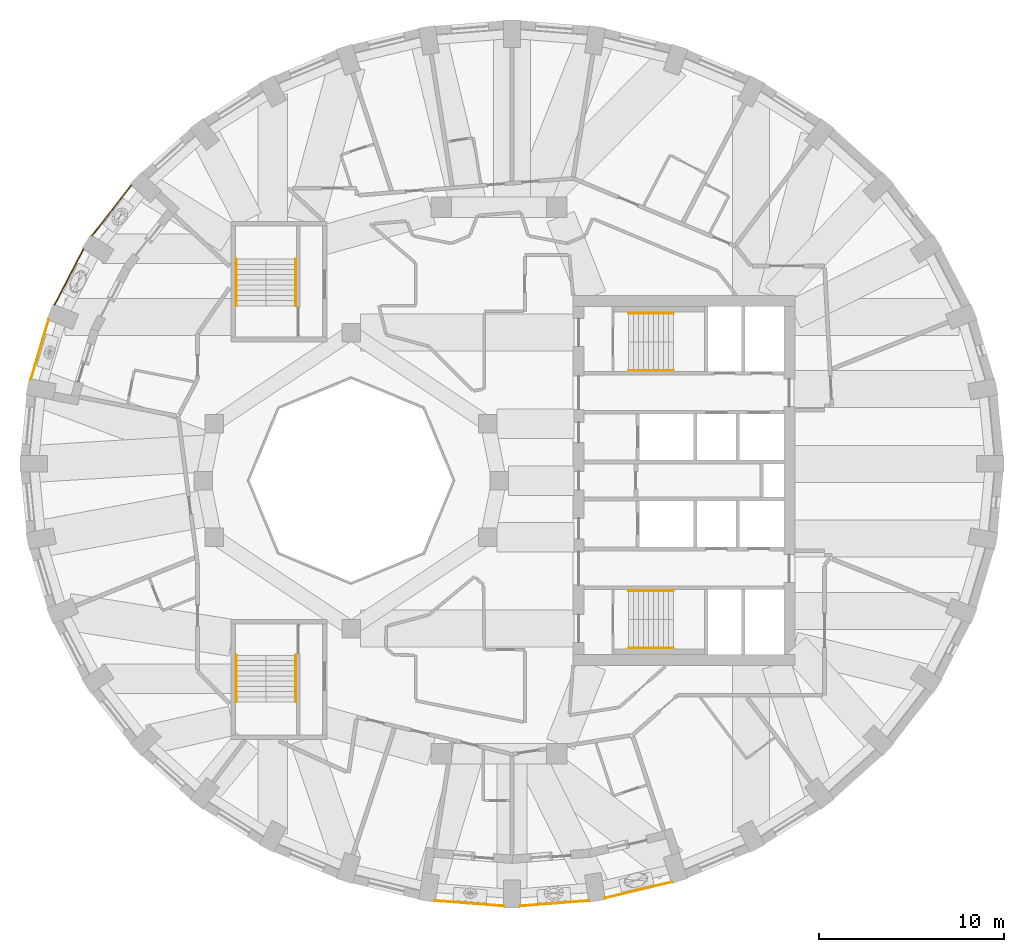
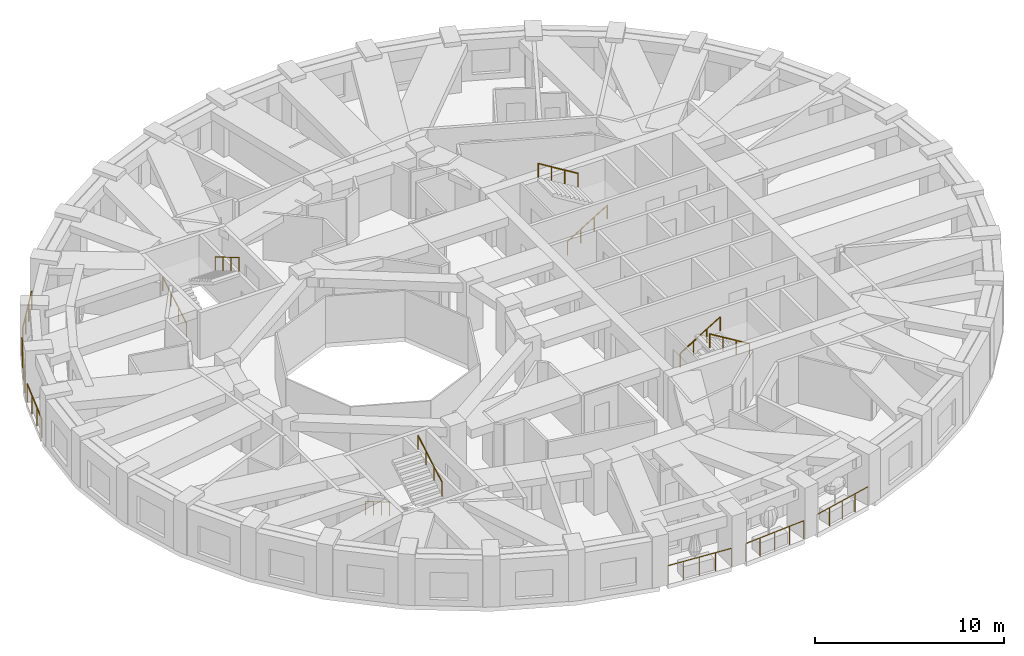
# One storey, part 10 of 12: 14 railings.
"""IFC4 building model written with IfcOpenShell, lengths in metres."""

from ifc_helpers import new_model, si_unit, direction, frame, origin, origin_2d, place, context, subcontext, project, spatial, circle, extrude, material, type_object, element, save


model = new_model("IFC4")

# Units and contexts
model_context = context("Model", 3, precision=1e-05, world=origin(), true_north=direction((0.0, 1.0)))
body_context = subcontext(model_context, "Body", "Model", "MODEL_VIEW")
ifc_project = project(units=[si_unit("LENGTHUNIT", "METRE"), si_unit("AREAUNIT", "SQUARE_METRE"), si_unit("VOLUMEUNIT", "CUBIC_METRE"), si_unit("PLANEANGLEUNIT", "RADIAN"), si_unit("MASSUNIT", "GRAM", prefix="KILO")], contexts=[model_context])

# Site, building, storey
site_placement = place(None, origin())
site = spatial("IfcSite", under=ifc_project, at=site_placement, CompositionType="ELEMENT")
building_placement = place(site_placement, origin())
building = spatial("IfcBuilding", under=site, at=building_placement, Name="Taillehof Tower", CompositionType="ELEMENT")
storey_placement = place(building_placement, frame((0.0, 0.0, 199.10009765625)))
storey = spatial("IfcBuildingStorey", under=building, at=storey_placement, Name="L56", CompositionType="ELEMENT", Elevation=199.10009765625)

# Railings
ifc_material_1 = material(Name="Stainless steel balustrade", Category="steel")
railing_type_1 = type_object("IfcRailingType", Name="Balcony guard 1200", PredefinedType="GUARDRAIL", material=ifc_material_1)
railing_1_placement = place(storey_placement, frame((-19.87255859375, 15.973876953125, 0.0)))
element("IfcRailing", 1, at=railing_1_placement, inside=storey, type_object=railing_type_1, Name="Balcony guard L56 bay 15", PredefinedType="GUARDRAIL", context=body_context, shape_type="SweptSolid", body=[
    extrude(circle(Radius=0.02392578125, at=origin_2d()), frame((0.0, 0.0, 1.17578125), z_axis=(-0.614233032347, -0.789124693552, 0.0), x_axis=(0.789124693552, -0.614233032347, 0.0)), (0.0, 0.0, 1.0), 3.467529296875),
    extrude(circle(Radius=0.02099609375, at=origin_2d()), origin(), (0.0, 0.0, 1.0), 1.15185546875),
    extrude(circle(Radius=0.02099609375, at=origin_2d()), frame((-0.7099609375, -0.912109375, 0.0)), (0.0, 0.0, 1.0), 1.15185546875),
    extrude(circle(Radius=0.02099609375, at=origin_2d()), frame((-1.419921875, -1.82421875, 0.0)), (0.0, 0.0, 1.0), 1.15185546875),
    extrude(circle(Radius=0.02099609375, at=origin_2d()), frame((-2.1298828125, -2.736328125, 0.0)), (0.0, 0.0, 1.0), 1.15185546875),
])
railing_2_placement = place(storey_placement, frame((-22.466552734375, 12.513427734375, 0.0)))
element("IfcRailing", 2, at=railing_2_placement, inside=storey, type_object=railing_type_1, Name="Balcony guard L56 bay 16", PredefinedType="GUARDRAIL", context=body_context, shape_type="SweptSolid", body=[
    extrude(circle(Radius=0.02392578125, at=origin_2d()), frame((0.0, 0.0, 1.17578125), z_axis=(-0.460229168419, -0.88780015349, 0.0), x_axis=(0.88780015349, -0.460229168419, 0.0)), (0.0, 0.0, 1.0), 3.4013671875),
    extrude(circle(Radius=0.02099609375, at=origin_2d()), origin(), (0.0, 0.0, 1.0), 1.15185546875),
    extrude(circle(Radius=0.02099609375, at=origin_2d()), frame((-0.521728515625, -1.006591796875, 0.0)), (0.0, 0.0, 1.0), 1.15185546875),
    extrude(circle(Radius=0.02099609375, at=origin_2d()), frame((-1.043701171875, -2.01318359375, 0.0)), (0.0, 0.0, 1.0), 1.15185546875),
    extrude(circle(Radius=0.02099609375, at=origin_2d()), frame((-1.5654296875, -3.019775390625, 0.0)), (0.0, 0.0, 1.0), 1.15185546875),
])
railing_3_placement = place(storey_placement, frame((-24.35400390625, 8.696044921875, 0.0)))
element("IfcRailing", 3, at=railing_3_placement, inside=storey, type_object=railing_type_1, Name="Balcony guard L56 bay 17", PredefinedType="GUARDRAIL", context=body_context, shape_type="SweptSolid", body=[
    extrude(circle(Radius=0.02392578125, at=origin_2d()), frame((0.0, 0.0, 1.17578125), z_axis=(-0.28544954127, -0.958393739227, 0.0), x_axis=(0.958393739227, -0.28544954127, 0.0)), (0.0, 0.0, 1.0), 3.351806640625),
    extrude(circle(Radius=0.02099609375, at=origin_2d()), origin(), (0.0, 0.0, 1.0), 1.15185546875),
    extrude(circle(Radius=0.02099609375, at=origin_2d()), frame((-0.31884765625, -1.07080078125, 0.0)), (0.0, 0.0, 1.0), 1.15185546875),
    extrude(circle(Radius=0.02099609375, at=origin_2d()), frame((-0.637939453125, -2.1416015625, 0.0)), (0.0, 0.0, 1.0), 1.15185546875),
    extrude(circle(Radius=0.02099609375, at=origin_2d()), frame((-0.956787109375, -3.21240234375, 0.0)), (0.0, 0.0, 1.0), 1.15185546875),
])
railing_4_placement = place(storey_placement, frame((-3.467041015625, -22.7119140625, 0.0)))
element("IfcRailing", 4, at=railing_4_placement, inside=storey, type_object=railing_type_1, Name="Balcony guard L56 bay 27", PredefinedType="GUARDRAIL", context=body_context, shape_type="SweptSolid", body=[
    extrude(circle(Radius=0.02392578125, at=origin_2d()), frame((0.0, 0.0, 1.17578125), z_axis=(0.996920832567, -0.078414626146, 0.0), x_axis=(0.078414626146, 0.996920832567, 0.0)), (0.0, 0.0, 1.0), 3.74853515625),
    extrude(circle(Radius=0.02099609375, at=origin_2d()), origin(), (0.0, 0.0, 1.0), 1.15185546875),
    extrude(circle(Radius=0.02099609375, at=origin_2d()), frame((0.934326171875, -0.073486328125, 0.0)), (0.0, 0.0, 1.0), 1.15185546875),
    extrude(circle(Radius=0.02099609375, at=origin_2d()), frame((1.86865234375, -0.14697265625, 0.0)), (0.0, 0.0, 1.0), 1.15185546875),
    extrude(circle(Radius=0.02099609375, at=origin_2d()), frame((2.802734375, -0.220458984375, 0.0)), (0.0, 0.0, 1.0), 1.15185546875),
    extrude(circle(Radius=0.02099609375, at=origin_2d()), frame((3.737060546875, -0.2939453125, 0.0)), (0.0, 0.0, 1.0), 1.15185546875),
])
railing_5_placement = place(storey_placement, frame((1.130126953125, -23.005859375, 0.0)))
element("IfcRailing", 5, at=railing_5_placement, inside=storey, type_object=railing_type_1, Name="Balcony guard L56 bay 28", PredefinedType="GUARDRAIL", context=body_context, shape_type="SweptSolid", body=[
    extrude(circle(Radius=0.02392578125, at=origin_2d()), frame((0.0, 0.0, 1.17578125), z_axis=(0.996920832567, 0.078414626146, 0.0), x_axis=(-0.078414626146, 0.996920832567, 0.0)), (0.0, 0.0, 1.0), 3.74853515625),
    extrude(circle(Radius=0.02099609375, at=origin_2d()), origin(), (0.0, 0.0, 1.0), 1.15185546875),
    extrude(circle(Radius=0.02099609375, at=origin_2d()), frame((0.934326171875, 0.073486328125, 0.0)), (0.0, 0.0, 1.0), 1.15185546875),
    extrude(circle(Radius=0.02099609375, at=origin_2d()), frame((1.86865234375, 0.14697265625, 0.0)), (0.0, 0.0, 1.0), 1.15185546875),
    extrude(circle(Radius=0.02099609375, at=origin_2d()), frame((2.802734375, 0.220458984375, 0.0)), (0.0, 0.0, 1.0), 1.15185546875),
    extrude(circle(Radius=0.02099609375, at=origin_2d()), frame((3.737060546875, 0.2939453125, 0.0)), (0.0, 0.0, 1.0), 1.15185546875),
])
railing_6_placement = place(storey_placement, frame((5.716552734375, -22.576904296875, 0.0)))
element("IfcRailing", 6, at=railing_6_placement, inside=storey, type_object=railing_type_1, Name="Balcony guard L56 bay 29", PredefinedType="GUARDRAIL", context=body_context, shape_type="SweptSolid", body=[
    extrude(circle(Radius=0.02392578125, at=origin_2d()), frame((0.0, 0.0, 1.17578125), z_axis=(0.972163104093, 0.234305140875, 0.0), x_axis=(-0.234305140875, 0.972163104093, 0.0)), (0.0, 0.0, 1.0), 3.72412109375),
    extrude(circle(Radius=0.02099609375, at=origin_2d()), origin(), (0.0, 0.0, 1.0), 1.15185546875),
    extrude(circle(Radius=0.02099609375, at=origin_2d()), frame((0.905029296875, 0.21826171875, 0.0)), (0.0, 0.0, 1.0), 1.15185546875),
    extrude(circle(Radius=0.02099609375, at=origin_2d()), frame((1.81005859375, 0.436279296875, 0.0)), (0.0, 0.0, 1.0), 1.15185546875),
    extrude(circle(Radius=0.02099609375, at=origin_2d()), frame((2.71533203125, 0.654296875, 0.0)), (0.0, 0.0, 1.0), 1.15185546875),
    extrude(circle(Radius=0.02099609375, at=origin_2d()), frame((3.620361328125, 0.87255859375, 0.0)), (0.0, 0.0, 1.0), 1.15185546875),
])
ifc_material_2 = material(Name="Stainless steel", Category="steel")
railing_type_2 = type_object("IfcRailingType", Name="Stair handrail 900", PredefinedType="HANDRAIL", material=ifc_material_2)
railing_7_placement = place(storey_placement, frame((7.0, 5.949951171875, 0.164794921875)))
element("IfcRailing", 7, at=railing_7_placement, inside=storey, type_object=railing_type_2, Name="Stair S1 handrail", PredefinedType="HANDRAIL", context=body_context, shape_type="SweptSolid", body=[
    extrude(circle(Radius=0.02392578125, at=origin_2d()), frame((0.0, 0.0, 0.8759765625), z_axis=(0.853258522278, 0.0, 0.521488153423), x_axis=(0.0, 1.0, 0.0)), (0.0, 0.0, 1.0), 2.847900390625),
    extrude(circle(Radius=0.02099609375, at=origin_2d()), origin(), (0.0, 0.0, 1.0), 0.851806640625),
    extrude(circle(Radius=0.02099609375, at=origin_2d()), frame((0.81005859375, 0.0, 0.4951171875)), (0.0, 0.0, 1.0), 0.851806640625),
    extrude(circle(Radius=0.02099609375, at=origin_2d()), frame((1.619873046875, 0.0, 0.989990234375)), (0.0, 0.0, 1.0), 0.851806640625),
    extrude(circle(Radius=0.02099609375, at=origin_2d()), frame((2.429931640625, 0.0, 1.485107421875)), (0.0, 0.0, 1.0), 0.851806640625),
])
railing_8_placement = place(storey_placement, frame((9.429931640625, 9.050048828125, 1.81494140625)))
element("IfcRailing", 8, at=railing_8_placement, inside=storey, type_object=railing_type_2, Name="Stair S1 handrail", PredefinedType="HANDRAIL", context=body_context, shape_type="SweptSolid", body=[
    extrude(circle(Radius=0.02392578125, at=origin_2d()), frame((0.0, 0.0, 0.8759765625), z_axis=(-0.853296667938, 0.0, 0.521425734392), x_axis=(0.0, -1.0, 0.0)), (0.0, 0.0, 1.0), 2.84765625),
    extrude(circle(Radius=0.02099609375, at=origin_2d()), origin(), (0.0, 0.0, 1.0), 0.851806640625),
    extrude(circle(Radius=0.02099609375, at=origin_2d()), frame((-0.81005859375, 0.0, 0.494873046875)), (0.0, 0.0, 1.0), 0.851806640625),
    extrude(circle(Radius=0.02099609375, at=origin_2d()), frame((-1.619873046875, 0.0, 0.989990234375)), (0.0, 0.0, 1.0), 0.851806640625),
    extrude(circle(Radius=0.02099609375, at=origin_2d()), frame((-2.429931640625, 0.0, 1.48486328125)), (0.0, 0.0, 1.0), 0.851806640625),
])
railing_9_placement = place(storey_placement, frame((7.0, -5.949951171875, 0.164794921875)))
element("IfcRailing", 9, at=railing_9_placement, inside=storey, type_object=railing_type_2, Name="Stair S2 handrail", PredefinedType="HANDRAIL", context=body_context, shape_type="SweptSolid", body=[
    extrude(circle(Radius=0.02392578125, at=origin_2d()), frame((0.0, 0.0, 0.8759765625), z_axis=(0.853258522278, 0.0, 0.521488153423), x_axis=(0.0, 1.0, 0.0)), (0.0, 0.0, 1.0), 2.847900390625),
    extrude(circle(Radius=0.02099609375, at=origin_2d()), origin(), (0.0, 0.0, 1.0), 0.851806640625),
    extrude(circle(Radius=0.02099609375, at=origin_2d()), frame((0.81005859375, 0.0, 0.4951171875)), (0.0, 0.0, 1.0), 0.851806640625),
    extrude(circle(Radius=0.02099609375, at=origin_2d()), frame((1.619873046875, 0.0, 0.989990234375)), (0.0, 0.0, 1.0), 0.851806640625),
    extrude(circle(Radius=0.02099609375, at=origin_2d()), frame((2.429931640625, 0.0, 1.485107421875)), (0.0, 0.0, 1.0), 0.851806640625),
])
railing_10_placement = place(storey_placement, frame((9.429931640625, -9.050048828125, 1.81494140625)))
element("IfcRailing", 10, at=railing_10_placement, inside=storey, type_object=railing_type_2, Name="Stair S2 handrail", PredefinedType="HANDRAIL", context=body_context, shape_type="SweptSolid", body=[
    extrude(circle(Radius=0.02392578125, at=origin_2d()), frame((0.0, 0.0, 0.8759765625), z_axis=(-0.853296667938, 0.0, 0.521425734392), x_axis=(0.0, -1.0, 0.0)), (0.0, 0.0, 1.0), 2.84765625),
    extrude(circle(Radius=0.02099609375, at=origin_2d()), origin(), (0.0, 0.0, 1.0), 0.851806640625),
    extrude(circle(Radius=0.02099609375, at=origin_2d()), frame((-0.81005859375, 0.0, 0.494873046875)), (0.0, 0.0, 1.0), 0.851806640625),
    extrude(circle(Radius=0.02099609375, at=origin_2d()), frame((-1.619873046875, 0.0, 0.989990234375)), (0.0, 0.0, 1.0), 0.851806640625),
    extrude(circle(Radius=0.02099609375, at=origin_2d()), frame((-2.429931640625, 0.0, 1.48486328125)), (0.0, 0.0, 1.0), 0.851806640625),
])
railing_11_placement = place(storey_placement, frame((-14.199951171875, 9.449951171875, 0.164794921875)))
element("IfcRailing", 11, at=railing_11_placement, inside=storey, type_object=railing_type_2, Name="Stair S3 handrail", PredefinedType="HANDRAIL", context=body_context, shape_type="SweptSolid", body=[
    extrude(circle(Radius=0.02392578125, at=origin_2d()), frame((0.0, 0.0, 0.8759765625), z_axis=(0.0, 0.86152411907, 0.507716645641), x_axis=(-1.0, 0.0, 0.0)), (0.0, 0.0, 1.0), 2.925048828125),
    extrude(circle(Radius=0.02099609375, at=origin_2d()), origin(), (0.0, 0.0, 1.0), 0.851806640625),
    extrude(circle(Radius=0.02099609375, at=origin_2d()), frame((0.0, 0.840087890625, 0.4951171875)), (0.0, 0.0, 1.0), 0.851806640625),
    extrude(circle(Radius=0.02099609375, at=origin_2d()), frame((0.0, 1.679931640625, 0.989990234375)), (0.0, 0.0, 1.0), 0.851806640625),
    extrude(circle(Radius=0.02099609375, at=origin_2d()), frame((0.0, 2.52001953125, 1.485107421875)), (0.0, 0.0, 1.0), 0.851806640625),
])
railing_12_placement = place(storey_placement, frame((-11.0, 11.969970703125, 1.81494140625)))
element("IfcRailing", 12, at=railing_12_placement, inside=storey, type_object=railing_type_2, Name="Stair S3 handrail", PredefinedType="HANDRAIL", context=body_context, shape_type="SweptSolid", body=[
    extrude(circle(Radius=0.02392578125, at=origin_2d()), frame((0.0, 0.0, 0.8759765625), z_axis=(0.0, -0.861560626758, 0.507654692109), x_axis=(1.0, 0.0, 0.0)), (0.0, 0.0, 1.0), 2.925048828125),
    extrude(circle(Radius=0.02099609375, at=origin_2d()), origin(), (0.0, 0.0, 1.0), 0.851806640625),
    extrude(circle(Radius=0.02099609375, at=origin_2d()), frame((0.0, -0.840087890625, 0.494873046875)), (0.0, 0.0, 1.0), 0.851806640625),
    extrude(circle(Radius=0.02099609375, at=origin_2d()), frame((0.0, -1.679931640625, 0.989990234375)), (0.0, 0.0, 1.0), 0.851806640625),
    extrude(circle(Radius=0.02099609375, at=origin_2d()), frame((0.0, -2.52001953125, 1.48486328125)), (0.0, 0.0, 1.0), 0.851806640625),
])
railing_13_placement = place(storey_placement, frame((-14.199951171875, -9.449951171875, 0.164794921875)))
element("IfcRailing", 13, at=railing_13_placement, inside=storey, type_object=railing_type_2, Name="Stair S4 handrail", PredefinedType="HANDRAIL", context=body_context, shape_type="SweptSolid", body=[
    extrude(circle(Radius=0.02392578125, at=origin_2d()), frame((0.0, 0.0, 0.8759765625), z_axis=(0.0, -0.86152411907, 0.507716645641), x_axis=(1.0, 0.0, 0.0)), (0.0, 0.0, 1.0), 2.925048828125),
    extrude(circle(Radius=0.02099609375, at=origin_2d()), origin(), (0.0, 0.0, 1.0), 0.851806640625),
    extrude(circle(Radius=0.02099609375, at=origin_2d()), frame((0.0, -0.840087890625, 0.4951171875)), (0.0, 0.0, 1.0), 0.851806640625),
    extrude(circle(Radius=0.02099609375, at=origin_2d()), frame((0.0, -1.679931640625, 0.989990234375)), (0.0, 0.0, 1.0), 0.851806640625),
    extrude(circle(Radius=0.02099609375, at=origin_2d()), frame((0.0, -2.52001953125, 1.485107421875)), (0.0, 0.0, 1.0), 0.851806640625),
])
railing_14_placement = place(storey_placement, frame((-11.0, -11.969970703125, 1.81494140625)))
element("IfcRailing", 14, at=railing_14_placement, inside=storey, type_object=railing_type_2, Name="Stair S4 handrail", PredefinedType="HANDRAIL", context=body_context, shape_type="SweptSolid", body=[
    extrude(circle(Radius=0.02392578125, at=origin_2d()), frame((0.0, 0.0, 0.8759765625), z_axis=(0.0, 0.861560626758, 0.507654692109), x_axis=(-1.0, 0.0, 0.0)), (0.0, 0.0, 1.0), 2.925048828125),
    extrude(circle(Radius=0.02099609375, at=origin_2d()), origin(), (0.0, 0.0, 1.0), 0.851806640625),
    extrude(circle(Radius=0.02099609375, at=origin_2d()), frame((0.0, 0.840087890625, 0.494873046875)), (0.0, 0.0, 1.0), 0.851806640625),
    extrude(circle(Radius=0.02099609375, at=origin_2d()), frame((0.0, 1.679931640625, 0.989990234375)), (0.0, 0.0, 1.0), 0.851806640625),
    extrude(circle(Radius=0.02099609375, at=origin_2d()), frame((0.0, 2.52001953125, 1.48486328125)), (0.0, 0.0, 1.0), 0.851806640625),
])

save(model, "model.ifc")
